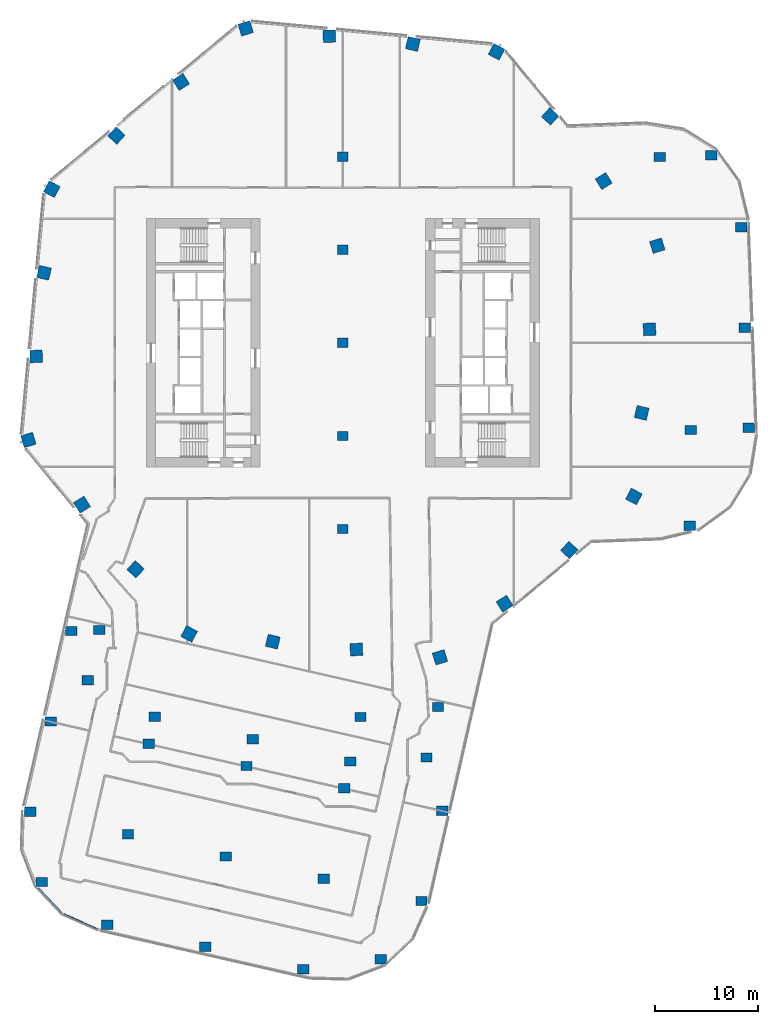
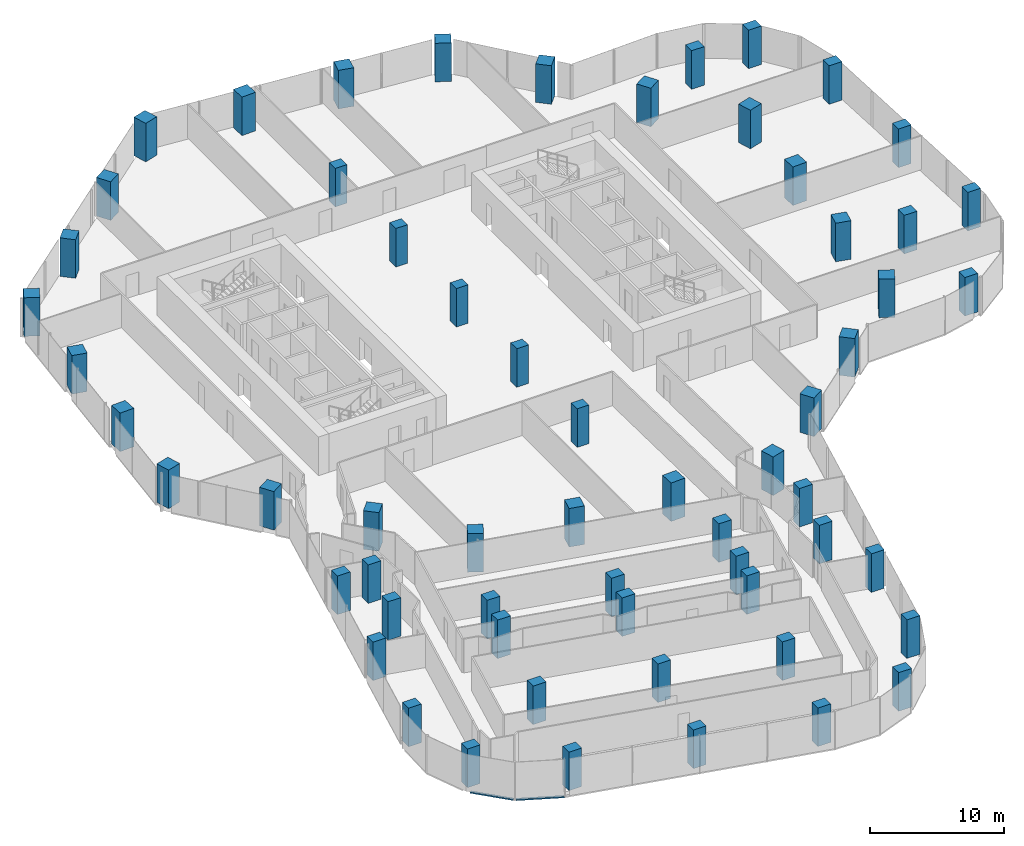
# One storey, part 1 of 24: 60 columns, 2 members, 2 elements without a shape of their own.
"""IFC4 building model written with IfcOpenShell, lengths in metres."""

from ifc_helpers import new_model, si_unit, direction, frame, origin, origin_2d, place, context, subcontext, project, spatial, rectangle, extrude, material, material_profile, profile_set, type_object, element, aggregate, save


model = new_model("IFC4")

# Units and contexts
model_context = context("Model", 3, precision=1e-05, world=origin(), true_north=direction((0.0, 1.0)))
body_context = subcontext(model_context, "Body", "Model", "MODEL_VIEW")
ifc_project = project(units=[si_unit("LENGTHUNIT", "METRE"), si_unit("AREAUNIT", "SQUARE_METRE"), si_unit("VOLUMEUNIT", "CUBIC_METRE"), si_unit("PLANEANGLEUNIT", "RADIAN"), si_unit("MASSUNIT", "GRAM", prefix="KILO")], contexts=[model_context])

# Site, building, storey
site_placement = place(None, origin())
site = spatial("IfcSite", under=ifc_project, at=site_placement, CompositionType="ELEMENT")
building_placement = place(site_placement, origin())
building = spatial("IfcBuilding", under=site, at=building_placement, Name="Orlundy Tower", CompositionType="ELEMENT")
storey_placement = place(building_placement, frame((0.0, 0.0, 177.60009765625)))
storey = spatial("IfcBuildingStorey", under=building, at=storey_placement, Name="L46", CompositionType="ELEMENT", Elevation=177.60009765625)

# Columns
ifc_material_1 = material(Name="Concrete C70/85", Category="concrete")
ifc_material_profile_1 = material_profile(ifc_material_1, rectangle(XDim=1.0, YDim=0.89990234375, at=origin_2d()), Name="RC1000X900")
ifc_profile_set_1 = profile_set([ifc_material_profile_1], Name="Concrete C70/85")
column_type_1 = type_object("IfcColumnType", Name="RC COLUMN RC1000X900 C70/85", PredefinedType="COLUMN", material=ifc_profile_set_1)
for number, where, z_axis, x_axis, name in (
    (1, (0.0, -18.0, 0.0), (0.0, 0.0, 1.0), (1.0, 0.0, 0.0), "Column C-M1 L46"),
    (2, (0.0, -9.0, 0.0), (0.0, 0.0, 1.0), (1.0, 0.0, 0.0), "Column C-M2 L46"),
    (3, (0.0, 0.0, 0.0), (0.0, 0.0, 1.0), (1.0, 0.0, 0.0), "Column C-M3 L46"),
    (4, (0.0, 9.0, 0.0), (0.0, 0.0, 1.0), (1.0, 0.0, 0.0), "Column C-M4 L46"),
    (5, (0.0, 18.0, 0.0), (0.0, 0.0, 1.0), (1.0, 0.0, 0.0), "Column C-M5 L46"),
):
    element("IfcColumn", number, at=place(storey_placement, frame(where, z_axis=z_axis, x_axis=x_axis)), inside=storey, type_object=column_type_1, Name=name, PredefinedType="COLUMN", context=body_context, shape_type="SweptSolid", body=[
        extrude(rectangle(XDim=1.0, YDim=0.89990234375, at=origin_2d()), origin(), (0.0, 0.0, 1.0), 3.5),
    ])
ifc_material_2 = material(Name="Concrete C70/85", Category="concrete")
ifc_material_profile_2 = material_profile(ifc_material_2, rectangle(XDim=1.10009765625, YDim=0.89990234375, at=origin_2d()), Name="RC1100X900")
ifc_profile_set_2 = profile_set([ifc_material_profile_2], Name="Concrete C70/85")
column_type_2 = type_object("IfcColumnType", Name="RC COLUMN RC1100X900 C70/85", PredefinedType="COLUMN", material=ifc_profile_set_2)
for number, where, z_axis, x_axis, name in (
    (6, (33.534912109375, -17.678955078125, 0.0), (0.0, 0.0, 1.0), (1.0, 0.0, 0.0), "Column C-A1-1 L46"),
    (7, (39.239013671875, -8.221923828125, 0.0), (0.0, 0.0, 1.0), (1.0, 0.0, 0.0), "Column C-A2-5 L46"),
    (8, (33.64306640625, -8.43408203125, 0.0), (0.0, 0.0, 1.0), (1.0, 0.0, 0.0), "Column C-A2-6 L46"),
    (9, (38.8720703125, 1.470947265625, 0.0), (0.0, 0.0, 1.0), (1.0, 0.0, 0.0), "Column C-A3-5 L46"),
    (10, (38.5048828125, 11.1640625, 0.0), (0.0, 0.0, 1.0), (1.0, 0.0, 0.0), "Column C-A4-5 L46"),
    (11, (35.632080078125, 18.153076171875, 0.0), (0.0, 0.0, 1.0), (1.0, 0.0, 0.0), "Column C-A5-5 L46"),
    (12, (30.635986328125, 17.964111328125, 0.0), (0.0, 0.0, 1.0), (1.0, 0.0, 0.0), "Column C-A5-6 L46"),
    (13, (-26.2451171875, -27.866943359375, 0.0), (0.0, 0.0, 1.0), (1.0, 0.0, 0.0), "Column C-B1-1 L46"),
    (14, (-28.237060546875, -36.60888671875, 0.0), (0.0, 0.0, 1.0), (1.0, 0.0, 0.0), "Column C-B1-2 L46"),
    (15, (-30.22802734375, -45.35205078125, 0.0), (0.0, 0.0, 1.0), (1.0, 0.0, 0.0), "Column C-B1-3 L46"),
    (16, (-29.09912109375, -52.132080078125, 0.0), (0.0, 0.0, 1.0), (1.0, 0.0, 0.0), "Column C-B1-5 L46"),
    (17, (-24.656982421875, -32.632080078125, 0.0), (0.0, 0.0, 1.0), (1.0, 0.0, 0.0), "Column C-B1-6 L46"),
    (18, (-23.547119140625, -27.757080078125, 0.0), (0.0, 0.0, 1.0), (1.0, 0.0, 0.0), "Column C-B1-7 L46"),
    (19, (-18.779052734375, -38.763916015625, 0.0), (0.0, 0.0, 1.0), (1.0, 0.0, 0.0), "Column C-B2-2 L46"),
    (20, (-20.77099609375, -47.507080078125, 0.0), (0.0, 0.0, 1.0), (1.0, 0.0, 0.0), "Column C-B2-3 L46"),
    (21, (-22.761962890625, -56.2490234375, 0.0), (0.0, 0.0, 1.0), (1.0, 0.0, 0.0), "Column C-B2-5 L46"),
    (22, (-18.18701171875, -36.1640625, 0.0), (0.0, 0.0, 1.0), (1.0, 0.0, 0.0), "Column C-B2-6 L46"),
    (23, (-9.321044921875, -40.91796875, 0.0), (0.0, 0.0, 1.0), (1.0, 0.0, 0.0), "Column C-B3-2 L46"),
    (24, (-11.31298828125, -49.660888671875, 0.0), (0.0, 0.0, 1.0), (1.0, 0.0, 0.0), "Column C-B3-3 L46"),
    (25, (-13.304931640625, -58.404052734375, 0.0), (0.0, 0.0, 1.0), (1.0, 0.0, 0.0), "Column C-B3-5 L46"),
    (26, (-8.72900390625, -38.318115234375, 0.0), (0.0, 0.0, 1.0), (1.0, 0.0, 0.0), "Column C-B3-6 L46"),
    (27, (0.135986328125, -43.072998046875, 0.0), (0.0, 0.0, 1.0), (1.0, 0.0, 0.0), "Column C-B4-2 L46"),
    (28, (-1.85498046875, -51.81591796875, 0.0), (0.0, 0.0, 1.0), (1.0, 0.0, 0.0), "Column C-B4-3 L46"),
    (29, (-3.846923828125, -60.55810546875, 0.0), (0.0, 0.0, 1.0), (1.0, 0.0, 0.0), "Column C-B4-5 L46"),
    (30, (0.72900390625, -40.472900390625, 0.0), (0.0, 0.0, 1.0), (1.0, 0.0, 0.0), "Column C-B4-6 L46"),
    (31, (1.7060546875, -36.18310546875, 0.0), (0.0, 0.0, 1.0), (1.0, 0.0, 0.0), "Column C-B4-7 L46"),
    (32, (9.593994140625, -45.22705078125, 0.0), (0.0, 0.0, 1.0), (1.0, 0.0, 0.0), "Column C-B5-2 L46"),
    (33, (7.60205078125, -53.969970703125, 0.0), (0.0, 0.0, 1.0), (1.0, 0.0, 0.0), "Column C-B5-3 L46"),
    (34, (3.64794921875, -59.592041015625, 0.0), (0.0, 0.0, 1.0), (1.0, 0.0, 0.0), "Column C-B5-5 L46"),
    (35, (8.090087890625, -40.092041015625, 0.0), (0.0, 0.0, 1.0), (1.0, 0.0, 0.0), "Column C-B5-6 L46"),
    (36, (9.200927734375, -35.217041015625, 0.0), (0.0, 0.0, 1.0), (1.0, 0.0, 0.0), "Column C-B5-7 L46"),
):
    element("IfcColumn", number, at=place(storey_placement, frame(where, z_axis=z_axis, x_axis=x_axis)), inside=storey, type_object=column_type_2, Name=name, PredefinedType="COLUMN", context=body_context, shape_type="SweptSolid", body=[
        extrude(rectangle(XDim=1.10009765625, YDim=0.89990234375, at=origin_2d()), origin(), (0.0, 0.0, 1.0), 3.5),
    ])
ifc_material_3 = material(Name="Concrete C70/85", Category="concrete")
ifc_material_profile_3 = material_profile(ifc_material_3, rectangle(XDim=1.199951171875, YDim=1.199951171875, at=origin_2d()), Name="RC1200X1200")
ifc_profile_set_3 = profile_set([ifc_material_profile_3], Name="Concrete C70/85")
column_type_3 = type_object("IfcColumnType", Name="RC COLUMN RC1200X1200 C70/85", PredefinedType="COLUMN", material=ifc_profile_set_3)
for number, where, z_axis, x_axis, name in (
    (37, (14.85791015625, 28.14111328125, 0.0), (0.0, 0.0, 1.0), (0.466896045022, 0.884312209088, 0.0), "Column C-H01 L46"),
    (38, (20.0400390625, 21.89111328125, 0.0), (0.0, 0.0, 1.0), (0.675229825281, 0.737607404417, 0.0), "Column C-H02 L46"),
    (39, (25.221923828125, 15.64208984375, 0.0), (0.0, 0.0, 1.0), (0.849837505645, 0.527044793162, 0.0), "Column C-H03 L46"),
    (40, (30.405029296875, 9.39208984375, 0.0), (0.0, 0.0, 1.0), (0.955453670607, 0.295141124421, 0.0), "Column C-H04 L46"),
    (41, (29.64990234375, 1.30908203125, 0.0), (0.0, 0.0, 1.0), (0.999026785832, 0.044107609201, 0.0), "Column C-H05 L46"),
    (42, (28.89501953125, -6.77392578125, 0.0), (0.0, 0.0, 1.0), (0.973602810382, -0.228248915914, 0.0), "Column C-H06 L46"),
    (43, (28.14111328125, -14.85791015625, 0.0), (0.0, 0.0, 1.0), (0.884312209088, -0.466896045022, 0.0), "Column C-H07 L46"),
    (44, (21.89111328125, -20.0400390625, 0.0), (0.0, 0.0, 1.0), (0.737607404417, -0.675229825281, 0.0), "Column C-H08 L46"),
    (45, (15.64208984375, -25.221923828125, 0.0), (0.0, 0.0, 1.0), (0.527044793162, -0.849837505645, 0.0), "Column C-H09 L46"),
    (46, (9.39208984375, -30.405029296875, 0.0), (0.0, 0.0, 1.0), (0.295141124421, -0.955453670607, 0.0), "Column C-H10 L46"),
    (47, (1.30908203125, -29.64990234375, 0.0), (0.0, 0.0, 1.0), (0.044107609201, -0.999026785832, 0.0), "Column C-H11 L46"),
    (48, (-6.77392578125, -28.89501953125, 0.0), (0.0, 0.0, 1.0), (-0.228248915914, -0.973602810382, 0.0), "Column C-H12 L46"),
    (49, (-14.85791015625, -28.14111328125, 0.0), (0.0, 0.0, 1.0), (-0.466896045022, -0.884312209088, 0.0), "Column C-H13 L46"),
    (50, (-20.0400390625, -21.89111328125, 0.0), (0.0, 0.0, 1.0), (-0.675229825281, -0.737607404417, 0.0), "Column C-H14 L46"),
    (51, (-25.221923828125, -15.64208984375, 0.0), (0.0, 0.0, 1.0), (-0.849837505645, -0.527044793162, 0.0), "Column C-H15 L46"),
    (52, (-30.405029296875, -9.39208984375, 0.0), (0.0, 0.0, 1.0), (-0.955453670607, -0.295141124421, 0.0), "Column C-H16 L46"),
    (53, (-29.64990234375, -1.30908203125, 0.0), (0.0, 0.0, 1.0), (-0.999026785832, -0.044107609201, 0.0), "Column C-H17 L46"),
    (54, (-28.89501953125, 6.77392578125, 0.0), (0.0, 0.0, 1.0), (-0.973602810382, 0.228248915914, 0.0), "Column C-H18 L46"),
    (55, (-28.14111328125, 14.85791015625, 0.0), (0.0, 0.0, 1.0), (-0.884312209088, 0.466896045022, 0.0), "Column C-H19 L46"),
    (56, (-21.89111328125, 20.0400390625, 0.0), (0.0, 0.0, 1.0), (-0.737607404417, 0.675229825281, 0.0), "Column C-H20 L46"),
    (57, (-15.64208984375, 25.221923828125, 0.0), (0.0, 0.0, 1.0), (-0.527044793162, 0.849837505645, 0.0), "Column C-H21 L46"),
    (58, (-9.39208984375, 30.405029296875, 0.0), (0.0, 0.0, 1.0), (-0.295141124421, 0.955453670607, 0.0), "Column C-H22 L46"),
    (59, (-1.30908203125, 29.64990234375, 0.0), (0.0, 0.0, 1.0), (-0.044107609201, 0.999026785832, 0.0), "Column C-H23 L46"),
    (60, (6.77392578125, 28.89501953125, 0.0), (0.0, 0.0, 1.0), (0.228248915914, 0.973602810382, 0.0), "Column C-H24 L46"),
):
    element("IfcColumn", number, at=place(storey_placement, frame(where, z_axis=z_axis, x_axis=x_axis)), inside=storey, type_object=column_type_3, Name=name, PredefinedType="COLUMN", context=body_context, shape_type="SweptSolid", body=[
        extrude(rectangle(XDim=1.199951171875, YDim=1.199951171875, at=origin_2d()), origin(), (0.0, 0.0, 1.0), 3.5),
    ])

# Curtain wall, member
ifc_material_4 = material(Name="Aluminium bronze anodised", Category="aluminium")
curtain_wall_type = type_object("IfcCurtainWallType", Name="CW1 wall", PredefinedType="NOTDEFINED", material=ifc_material_4)
curtain_wall_1_placement = place(storey_placement, origin())
curtain_wall_1 = element("IfcCurtainWall", 61, at=curtain_wall_1_placement, inside=storey, type_object=curtain_wall_type, Name="CW1 run 024", PredefinedType="NOTDEFINED")
ifc_material_5 = material(Name="Aluminium bronze anodised", Category="aluminium")
ifc_material_profile_4 = material_profile(ifc_material_5, rectangle(XDim=0.179931640625, YDim=0.1201171875, at=origin_2d()), Name="CW1 transom 180x120")
ifc_profile_set_4 = profile_set([ifc_material_profile_4], Name="Aluminium bronze anodised")
member_type = type_object("IfcMemberType", Name="CW1 transom 180x120", PredefinedType="USERDEFINED", material=ifc_profile_set_4)
member_1_placement = place(storey_placement, frame((-23.7275390625, -56.732421875, -0.360107421875), z_axis=(-0.912914391831, 0.408151091127, 0.0), x_axis=(-0.408151091127, -0.912914391831, 0.0)))
member_1 = element("IfcMember", 62, at=member_1_placement, type_object=member_type, Name="CW1 transom", ObjectType="TRANSOM", PredefinedType="USERDEFINED", context=body_context, shape_type="SweptSolid", body=[
    extrude(rectangle(XDim=0.179931640625, YDim=0.1201171875, at=origin_2d()), origin(), (0.0, 0.0, 1.0), 3.611083984375),
])
aggregate(curtain_wall_1, [member_1])

curtain_wall_2_placement = place(storey_placement, origin())
curtain_wall_2 = element("IfcCurtainWall", 63, at=curtain_wall_2_placement, inside=storey, type_object=curtain_wall_type, Name="CW1 run 025", PredefinedType="NOTDEFINED")
member_2_placement = place(storey_placement, frame((-27.1748046875, -55.153564453125, -0.360107421875), z_axis=(-0.687128806217, 0.726535617617, 0.0), x_axis=(-0.726535617617, -0.687128806217, 0.0)))
member_2 = element("IfcMember", 64, at=member_2_placement, type_object=member_type, Name="CW1 transom", ObjectType="TRANSOM", PredefinedType="USERDEFINED", context=body_context, shape_type="SweptSolid", body=[
    extrude(rectangle(XDim=0.179931640625, YDim=0.1201171875, at=origin_2d()), origin(), (0.0, 0.0, 1.0), 3.3330078125),
])
aggregate(curtain_wall_2, [member_2])

save(model, "model.ifc")
